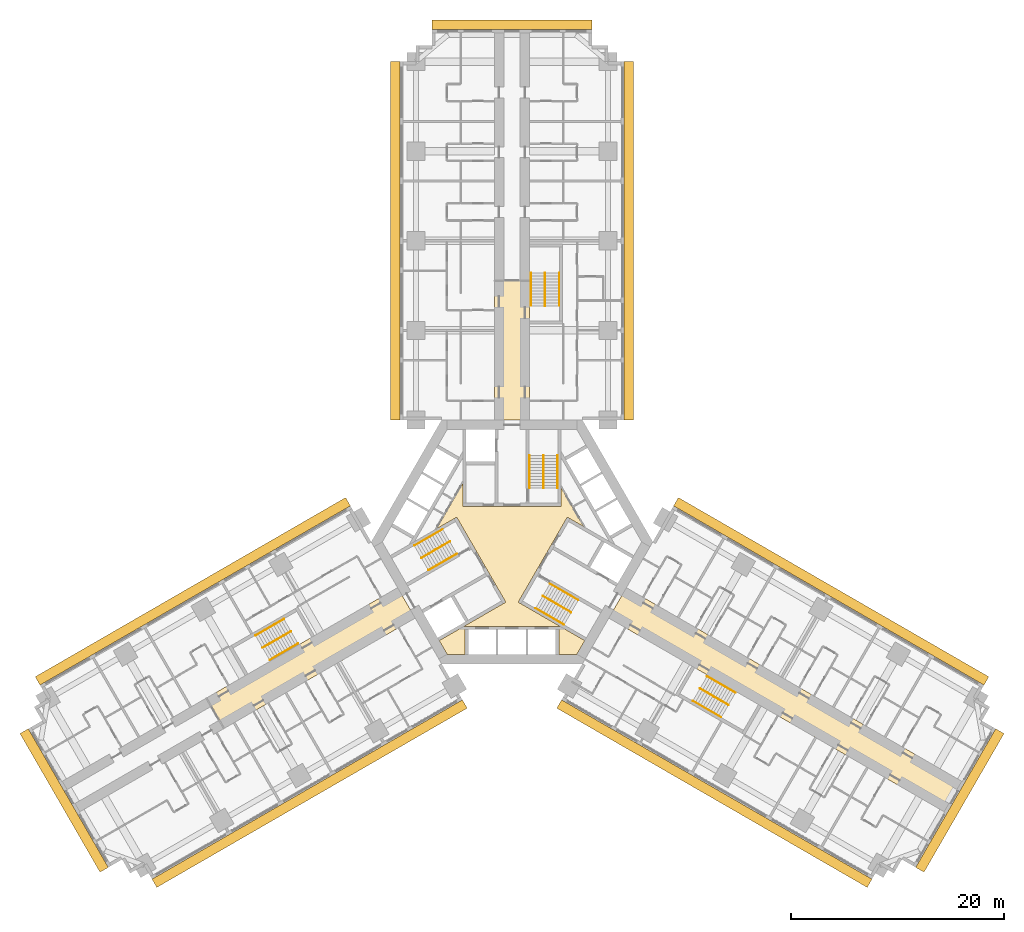
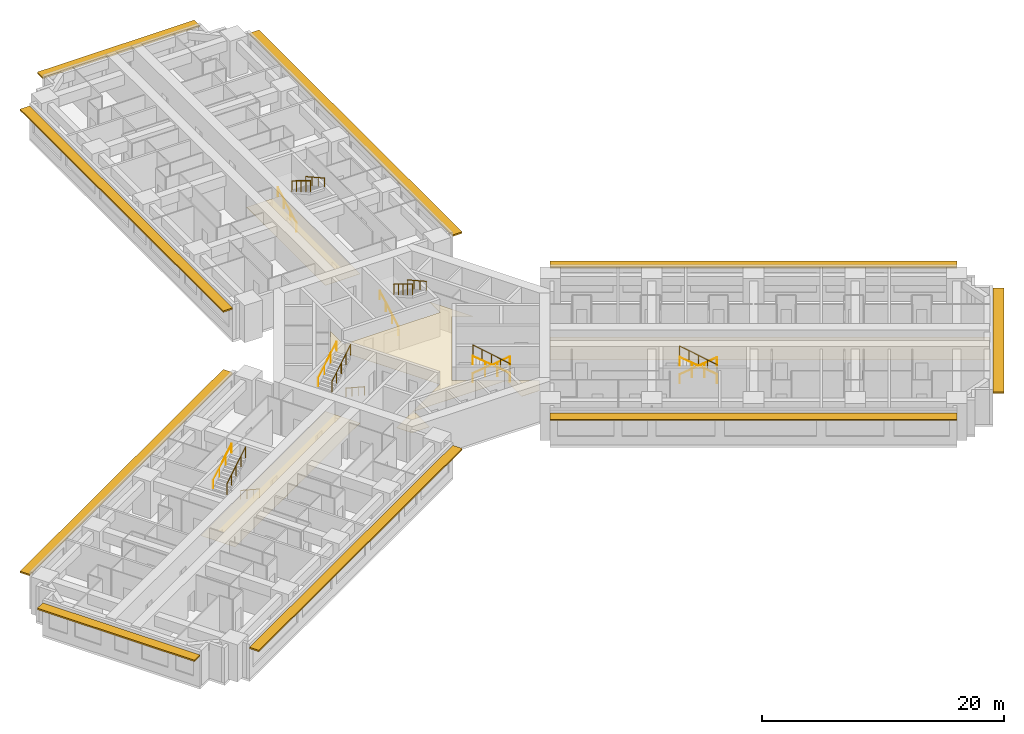
# One storey, part 16 of 16: 18 railings, 4 coverings, 3 shading devices.
"""IFC4 building model written with IfcOpenShell, lengths in metres."""

from ifc_helpers import new_model, si_unit, direction, frame, origin, origin_2d, place, context, subcontext, project, spatial, polyline, rectangle, circle, outline, extrude, material, layer, layer_set, type_object, element, save


model = new_model("IFC4")

# Units and contexts
model_context = context("Model", 3, precision=1e-05, world=origin(), true_north=direction((0.0, 1.0)))
body_context = subcontext(model_context, "Body", "Model", "MODEL_VIEW")
ifc_project = project(units=[si_unit("LENGTHUNIT", "METRE"), si_unit("AREAUNIT", "SQUARE_METRE"), si_unit("VOLUMEUNIT", "CUBIC_METRE"), si_unit("PLANEANGLEUNIT", "RADIAN"), si_unit("MASSUNIT", "GRAM", prefix="KILO")], contexts=[model_context])

# Site, building, storey
site_placement = place(None, origin())
site = spatial("IfcSite", under=ifc_project, at=site_placement, CompositionType="ELEMENT")
building_placement = place(site_placement, origin())
building = spatial("IfcBuilding", under=site, at=building_placement, Name="Impinga Residences", CompositionType="ELEMENT")
storey_placement = place(building_placement, frame((0.0, 0.0, 41.0)))
storey = spatial("IfcBuildingStorey", under=building, at=storey_placement, Name="L09", CompositionType="ELEMENT", Elevation=41.0)

# Coverings
ifc_material_1 = material(Name="Plasterboard 15 mm on steel hangers", Category="steel")
ifc_layer_1 = layer(ifc_material_1, 0.014892578125)
ifc_layer_set_1 = layer_set([ifc_layer_1], Name="Plasterboard 15 mm on steel hangers")
covering_type_1 = type_object("IfcCoveringType", Name="CL1 corridor ceiling, 15 mm plasterboard on hangers", PredefinedType="CEILING", material=ifc_layer_set_1)
covering_1_placement = place(storey_placement, frame((0.0, 0.0, 2.39990234375)))
element("IfcCovering", 1, at=covering_1_placement, inside=storey, type_object=covering_type_1, Name="Corridor ceiling CL1 L09-N00", PredefinedType="CEILING", context=body_context, shape_type="SweptSolid", body=[
    extrude(outline(polyline([(1.64990234375, 11.431640625), (-1.64990234375, 11.431640625), (-1.64990234375, 24.449951171875), (1.64990234375, 24.449951171875), (1.64990234375, 11.431640625)])), origin(), (0.0, 0.0, 1.0), 0.01513671875),
])
covering_2_placement = place(storey_placement, frame((0.0, 0.0, 2.39990234375)))
element("IfcCovering", 2, at=covering_2_placement, inside=storey, type_object=covering_type_1, Name="Corridor ceiling CL1 L09-W00", PredefinedType="CEILING", context=body_context, shape_type="SweptSolid", body=[
    extrude(outline(polyline([(-10.72509765625, -4.286865234375), (-9.074951171875, -7.144775390625), (-26.958740234375, -17.469970703125), (-28.60888671875, -14.612060546875), (-10.72509765625, -4.286865234375)])), origin(), (0.0, 0.0, 1.0), 0.01513671875),
])
covering_3_placement = place(storey_placement, frame((0.0, 0.0, 2.39990234375)))
element("IfcCovering", 3, at=covering_3_placement, inside=storey, type_object=covering_type_1, Name="Corridor ceiling CL1 L09-E00", PredefinedType="CEILING", context=body_context, shape_type="SweptSolid", body=[
    extrude(outline(polyline([(10.72509765625, -4.286865234375), (9.074951171875, -7.144775390625), (40.51171875, -25.294677734375), (42.16162109375, -22.436767578125), (10.72509765625, -4.286865234375)])), origin(), (0.0, 0.0, 1.0), 0.01513671875),
])
ifc_material_2 = material(Name="Mineral fibre tiles 20 mm on exposed grid", Category="mineral fibre")
ifc_layer_2 = layer(ifc_material_2, 0.02001953125)
ifc_layer_set_2 = layer_set([ifc_layer_2], Name="CL2 lift lobby ceiling, 20 mm mineral fibre tiles")
covering_type_2 = type_object("IfcCoveringType", Name="CL2 lift lobby ceiling, 20 mm mineral fibre tiles", PredefinedType="CEILING", material=ifc_layer_set_2)
covering_4_placement = place(storey_placement, frame((0.0, 0.0, 2.39990234375)))
element("IfcCovering", 4, at=covering_4_placement, inside=storey, type_object=covering_type_2, Name="Lift lobby ceiling CL2 L09-C01", PredefinedType="CEILING", context=body_context, shape_type="SweptSolid", body=[
    extrude(outline(polyline([(6.080322265625, -10.531494140625), (4.39990234375, -10.531494140625), (4.39990234375, -7.931640625), (-4.39990234375, -7.931640625), (-4.39990234375, -10.531494140625), (-6.080322265625, -10.531494140625), (-6.820556640625, -9.24951171875), (-0.583984375, -5.648681640625), (-5.183837890625, 2.318603515625), (-7.059326171875, 1.23583984375), (-4.60009765625, 5.49560546875), (-4.60009765625, 3.330078125), (4.60009765625, 3.330078125), (4.60009765625, 5.095703125), (6.712890625, 1.435791015625), (5.183837890625, 2.318603515625), (0.583984375, -5.648681640625), (6.820556640625, -9.24951171875), (6.080322265625, -10.531494140625)])), origin(), (0.0, 0.0, 1.0), 0.02001953125),
])

# Railings
ifc_material_3 = material(Name="Steel guard, powder coated", Category="steel")
railing_type_1 = type_object("IfcRailingType", Name="GR1 stair guard 1100", PredefinedType="GUARDRAIL", material=ifc_material_3)
railing_1_placement = place(storey_placement, frame((2.949951171875, 8.110107421875, 1.875)))
element("IfcRailing", 5, at=railing_1_placement, inside=storey, type_object=railing_type_1, Name="Stair guard GR1 ST1 L09", PredefinedType="GUARDRAIL", context=body_context, shape_type="SweptSolid", body=[
    extrude(circle(Radius=0.02392578125, at=origin_2d()), frame((0.0, 0.0, 1.076171875), z_axis=(0.0, -0.854177636135, 0.519981313056), x_axis=(1.0, 0.0, 0.0)), (0.0, 0.0, 1.0), 3.60595703125),
    extrude(circle(Radius=0.02099609375, at=origin_2d()), origin(), (0.0, 0.0, 1.0), 1.052001953125),
    extrude(circle(Radius=0.02099609375, at=origin_2d()), frame((0.0, -0.77001953125, 0.46875)), (0.0, 0.0, 1.0), 1.052001953125),
    extrude(circle(Radius=0.02099609375, at=origin_2d()), frame((0.0, -1.5400390625, 0.9375)), (0.0, 0.0, 1.0), 1.052001953125),
    extrude(circle(Radius=0.02099609375, at=origin_2d()), frame((0.0, -2.31005859375, 1.40625)), (0.0, 0.0, 1.0), 1.052001953125),
    extrude(circle(Radius=0.02099609375, at=origin_2d()), frame((0.0, -3.080078125, 1.875)), (0.0, 0.0, 1.0), 1.052001953125),
])
railing_2_placement = place(storey_placement, frame((-8.49853515625, -1.500244140625, 1.875)))
element("IfcRailing", 6, at=railing_2_placement, inside=storey, type_object=railing_type_1, Name="Stair guard GR1 ST2 L09", PredefinedType="GUARDRAIL", context=body_context, shape_type="SweptSolid", body=[
    extrude(circle(Radius=0.02392578125, at=origin_2d()), frame((0.0, 0.0, 1.076171875), z_axis=(0.739746383972, 0.427084037168, 0.519975492303), x_axis=(-0.499992328818, 0.866029832698, 0.0)), (0.0, 0.0, 1.0), 3.60595703125),
    extrude(circle(Radius=0.02099609375, at=origin_2d()), origin(), (0.0, 0.0, 1.0), 1.052001953125),
    extrude(circle(Radius=0.02099609375, at=origin_2d()), frame((0.6669921875, 0.385009765625, 0.46875)), (0.0, 0.0, 1.0), 1.052001953125),
    extrude(circle(Radius=0.02099609375, at=origin_2d()), frame((1.333740234375, 0.77001953125, 0.9375)), (0.0, 0.0, 1.0), 1.052001953125),
    extrude(circle(Radius=0.02099609375, at=origin_2d()), frame((2.00048828125, 1.155029296875, 1.40625)), (0.0, 0.0, 1.0), 1.052001953125),
    extrude(circle(Radius=0.02099609375, at=origin_2d()), frame((2.66748046875, 1.5400390625, 1.875)), (0.0, 0.0, 1.0), 1.052001953125),
])
railing_3_placement = place(storey_placement, frame((5.548583984375, -6.60986328125, 1.875)))
element("IfcRailing", 7, at=railing_3_placement, inside=storey, type_object=railing_type_1, Name="Stair guard GR1 ST3 L09", PredefinedType="GUARDRAIL", context=body_context, shape_type="SweptSolid", body=[
    extrude(circle(Radius=0.02392578125, at=origin_2d()), frame((0.0, 0.0, 1.076171875), z_axis=(-0.739746383972, 0.427084037168, 0.519975492303), x_axis=(-0.499992328818, -0.866029832698, 0.0)), (0.0, 0.0, 1.0), 3.60595703125),
    extrude(circle(Radius=0.02099609375, at=origin_2d()), origin(), (0.0, 0.0, 1.0), 1.052001953125),
    extrude(circle(Radius=0.02099609375, at=origin_2d()), frame((-0.6669921875, 0.385009765625, 0.46875)), (0.0, 0.0, 1.0), 1.052001953125),
    extrude(circle(Radius=0.02099609375, at=origin_2d()), frame((-1.333740234375, 0.77001953125, 0.9375)), (0.0, 0.0, 1.0), 1.052001953125),
    extrude(circle(Radius=0.02099609375, at=origin_2d()), frame((-2.00048828125, 1.155029296875, 1.40625)), (0.0, 0.0, 1.0), 1.052001953125),
    extrude(circle(Radius=0.02099609375, at=origin_2d()), frame((-2.66748046875, 1.5400390625, 1.875)), (0.0, 0.0, 1.0), 1.052001953125),
])
railing_4_placement = place(storey_placement, frame((3.10009765625, 25.21142578125, 1.875)))
element("IfcRailing", 8, at=railing_4_placement, inside=storey, type_object=railing_type_1, Name="Stair guard GR1 WS1 L09", PredefinedType="GUARDRAIL", context=body_context, shape_type="SweptSolid", body=[
    extrude(circle(Radius=0.02392578125, at=origin_2d()), frame((0.0, 0.0, 1.076171875), z_axis=(0.0, -0.854159328187, 0.520011386482), x_axis=(1.0, 0.0, 0.0)), (0.0, 0.0, 1.0), 3.605712890625),
    extrude(circle(Radius=0.02099609375, at=origin_2d()), origin(), (0.0, 0.0, 1.0), 1.052001953125),
    extrude(circle(Radius=0.02099609375, at=origin_2d()), frame((0.0, -0.77001953125, 0.46875)), (0.0, 0.0, 1.0), 1.052001953125),
    extrude(circle(Radius=0.02099609375, at=origin_2d()), frame((0.0, -1.5400390625, 0.9375)), (0.0, 0.0, 1.0), 1.052001953125),
    extrude(circle(Radius=0.02099609375, at=origin_2d()), frame((0.0, -2.309814453125, 1.40625)), (0.0, 0.0, 1.0), 1.052001953125),
    extrude(circle(Radius=0.02099609375, at=origin_2d()), frame((0.0, -3.079833984375, 1.875)), (0.0, 0.0, 1.0), 1.052001953125),
])
railing_5_placement = place(storey_placement, frame((-23.3837890625, -9.921142578125, 1.875)))
element("IfcRailing", 9, at=railing_5_placement, inside=storey, type_object=railing_type_1, Name="Stair guard GR1 WS2 L09", PredefinedType="GUARDRAIL", context=body_context, shape_type="SweptSolid", body=[
    extrude(circle(Radius=0.02392578125, at=origin_2d()), frame((0.0, 0.0, 1.076171875), z_axis=(0.739715726454, 0.427105428144, 0.52000153585), x_axis=(-0.500026652407, 0.866010015463, 0.0)), (0.0, 0.0, 1.0), 3.605712890625),
    extrude(circle(Radius=0.02099609375, at=origin_2d()), origin(), (0.0, 0.0, 1.0), 1.052001953125),
    extrude(circle(Radius=0.02099609375, at=origin_2d()), frame((0.666748046875, 0.385009765625, 0.46875)), (0.0, 0.0, 1.0), 1.052001953125),
    extrude(circle(Radius=0.02099609375, at=origin_2d()), frame((1.33349609375, 0.77001953125, 0.9375)), (0.0, 0.0, 1.0), 1.052001953125),
    extrude(circle(Radius=0.02099609375, at=origin_2d()), frame((2.00048828125, 1.155029296875, 1.40625)), (0.0, 0.0, 1.0), 1.052001953125),
    extrude(circle(Radius=0.02099609375, at=origin_2d()), frame((2.667236328125, 1.5400390625, 1.875)), (0.0, 0.0, 1.0), 1.052001953125),
])
railing_6_placement = place(storey_placement, frame((20.283935546875, -15.29052734375, 1.875)))
element("IfcRailing", 10, at=railing_6_placement, inside=storey, type_object=railing_type_1, Name="Stair guard GR1 WS3 L09", PredefinedType="GUARDRAIL", context=body_context, shape_type="SweptSolid", body=[
    extrude(circle(Radius=0.02392578125, at=origin_2d()), frame((0.0, 0.0, 1.076171875), z_axis=(-0.739746383972, 0.427084037168, 0.519975492303), x_axis=(-0.499992328818, -0.866029832698, 0.0)), (0.0, 0.0, 1.0), 3.60595703125),
    extrude(circle(Radius=0.02099609375, at=origin_2d()), origin(), (0.0, 0.0, 1.0), 1.052001953125),
    extrude(circle(Radius=0.02099609375, at=origin_2d()), frame((-0.6669921875, 0.385009765625, 0.46875)), (0.0, 0.0, 1.0), 1.052001953125),
    extrude(circle(Radius=0.02099609375, at=origin_2d()), frame((-1.333740234375, 0.77001953125, 0.9375)), (0.0, 0.0, 1.0), 1.052001953125),
    extrude(circle(Radius=0.02099609375, at=origin_2d()), frame((-2.00048828125, 1.155029296875, 1.40625)), (0.0, 0.0, 1.0), 1.052001953125),
    extrude(circle(Radius=0.02099609375, at=origin_2d()), frame((-2.66748046875, 1.5400390625, 1.875)), (0.0, 0.0, 1.0), 1.052001953125),
])
ifc_material_4 = material(Name="Steel handrail tube 42 mm, powder coated", Category="steel")
railing_type_2 = type_object("IfcRailingType", Name="HR1 stair handrail, 42 mm steel tube, 900 above the pitch line", PredefinedType="HANDRAIL", material=ifc_material_4)
railing_7_placement = place(storey_placement, frame((1.62109375, 5.030029296875, 0.15625)))
element("IfcRailing", 11, at=railing_7_placement, inside=storey, type_object=railing_type_2, Name="Stair handrail HR1 ST1 L09", PredefinedType="HANDRAIL", context=body_context, shape_type="SweptSolid", body=[
    extrude(circle(Radius=0.02099609375, at=origin_2d()), frame((0.0, 0.0, 0.87890625), z_axis=(0.0, 0.873241540666, 0.487287606713), x_axis=(-1.0, 0.0, 0.0)), (0.0, 0.0, 1.0), 3.527099609375),
    extrude(circle(Radius=0.012451171875, at=origin_2d()), origin(), (0.0, 0.0, 1.0), 0.85791015625),
    extrude(circle(Radius=0.012451171875, at=origin_2d()), frame((0.0, 1.026611328125, 0.572998046875)), (0.0, 0.0, 1.0), 0.85791015625),
    extrude(circle(Radius=0.012451171875, at=origin_2d()), frame((0.0, 2.053466796875, 1.145751953125)), (0.0, 0.0, 1.0), 0.85791015625),
    extrude(circle(Radius=0.012451171875, at=origin_2d()), frame((0.0, 3.080078125, 1.71875)), (0.0, 0.0, 1.0), 0.85791015625),
])
railing_8_placement = place(storey_placement, frame((4.279052734375, 8.110107421875, 2.03125)))
element("IfcRailing", 12, at=railing_8_placement, inside=storey, type_object=railing_type_2, Name="Stair handrail HR1 ST1 L09", PredefinedType="HANDRAIL", context=body_context, shape_type="SweptSolid", body=[
    extrude(circle(Radius=0.02099609375, at=origin_2d()), frame((0.0, 0.0, 0.87890625), z_axis=(0.0, -0.873241540666, 0.487287606713), x_axis=(1.0, 0.0, 0.0)), (0.0, 0.0, 1.0), 3.527099609375),
    extrude(circle(Radius=0.012451171875, at=origin_2d()), origin(), (0.0, 0.0, 1.0), 0.85791015625),
    extrude(circle(Radius=0.012451171875, at=origin_2d()), frame((0.0, -1.026611328125, 0.572998046875)), (0.0, 0.0, 1.0), 0.85791015625),
    extrude(circle(Radius=0.012451171875, at=origin_2d()), frame((0.0, -2.053466796875, 1.145751953125)), (0.0, 0.0, 1.0), 0.85791015625),
    extrude(circle(Radius=0.012451171875, at=origin_2d()), frame((0.0, -3.080078125, 1.71875)), (0.0, 0.0, 1.0), 0.85791015625),
])
railing_9_placement = place(storey_placement, frame((-5.16650390625, -1.111083984375, 0.15625)))
element("IfcRailing", 13, at=railing_9_placement, inside=storey, type_object=railing_type_2, Name="Stair handrail HR1 ST2 L09", PredefinedType="HANDRAIL", context=body_context, shape_type="SweptSolid", body=[
    extrude(circle(Radius=0.02099609375, at=origin_2d()), frame((0.0, 0.0, 0.87890625), z_axis=(-0.756255980417, -0.436615662133, 0.487281905742), x_axis=(0.499992328818, -0.866029832698, 0.0)), (0.0, 0.0, 1.0), 3.527099609375),
    extrude(circle(Radius=0.012451171875, at=origin_2d()), origin(), (0.0, 0.0, 1.0), 0.85791015625),
    extrude(circle(Radius=0.012451171875, at=origin_2d()), frame((-0.88916015625, -0.513427734375, 0.572998046875)), (0.0, 0.0, 1.0), 0.85791015625),
    extrude(circle(Radius=0.012451171875, at=origin_2d()), frame((-1.7783203125, -1.026611328125, 1.145751953125)), (0.0, 0.0, 1.0), 0.85791015625),
    extrude(circle(Radius=0.012451171875, at=origin_2d()), frame((-2.66748046875, -1.5400390625, 1.71875)), (0.0, 0.0, 1.0), 0.85791015625),
])
railing_10_placement = place(storey_placement, frame((-9.1630859375, -0.349365234375, 2.03125)))
element("IfcRailing", 14, at=railing_10_placement, inside=storey, type_object=railing_type_2, Name="Stair handrail HR1 ST2 L09", PredefinedType="HANDRAIL", context=body_context, shape_type="SweptSolid", body=[
    extrude(circle(Radius=0.02099609375, at=origin_2d()), frame((0.0, 0.0, 0.87890625), z_axis=(0.756255980417, 0.436615662133, 0.487281905742), x_axis=(-0.499992328818, 0.866029832698, 0.0)), (0.0, 0.0, 1.0), 3.527099609375),
    extrude(circle(Radius=0.012451171875, at=origin_2d()), origin(), (0.0, 0.0, 1.0), 0.85791015625),
    extrude(circle(Radius=0.012451171875, at=origin_2d()), frame((0.88916015625, 0.513427734375, 0.572998046875)), (0.0, 0.0, 1.0), 0.85791015625),
    extrude(circle(Radius=0.012451171875, at=origin_2d()), frame((1.7783203125, 1.026611328125, 1.145751953125)), (0.0, 0.0, 1.0), 0.85791015625),
    extrude(circle(Radius=0.012451171875, at=origin_2d()), frame((2.66748046875, 1.5400390625, 1.71875)), (0.0, 0.0, 1.0), 0.85791015625),
])
railing_11_placement = place(storey_placement, frame((3.545654296875, -3.9189453125, 0.15625)))
element("IfcRailing", 15, at=railing_11_placement, inside=storey, type_object=railing_type_2, Name="Stair handrail HR1 ST3 L09", PredefinedType="HANDRAIL", context=body_context, shape_type="SweptSolid", body=[
    extrude(circle(Radius=0.02099609375, at=origin_2d()), frame((0.0, 0.0, 0.87890625), z_axis=(0.756249203677, -0.436582492228, 0.487322141317), x_axis=(0.499967199496, 0.866044340336, 0.0)), (0.0, 0.0, 1.0), 3.52685546875),
    extrude(circle(Radius=0.012451171875, at=origin_2d()), origin(), (0.0, 0.0, 1.0), 0.85791015625),
    extrude(circle(Radius=0.012451171875, at=origin_2d()), frame((0.88916015625, -0.51318359375, 0.572998046875)), (0.0, 0.0, 1.0), 0.85791015625),
    extrude(circle(Radius=0.012451171875, at=origin_2d()), frame((1.778076171875, -1.026611328125, 1.145751953125)), (0.0, 0.0, 1.0), 0.85791015625),
    extrude(circle(Radius=0.012451171875, at=origin_2d()), frame((2.667236328125, -1.539794921875, 1.71875)), (0.0, 0.0, 1.0), 0.85791015625),
])
railing_12_placement = place(storey_placement, frame((4.884033203125, -7.7607421875, 2.03125)))
element("IfcRailing", 16, at=railing_12_placement, inside=storey, type_object=railing_type_2, Name="Stair handrail HR1 ST3 L09", PredefinedType="HANDRAIL", context=body_context, shape_type="SweptSolid", body=[
    extrude(circle(Radius=0.02099609375, at=origin_2d()), frame((0.0, 0.0, 0.87890625), z_axis=(-0.756255980417, 0.436615662133, 0.487281905742), x_axis=(-0.499992328818, -0.866029832698, 0.0)), (0.0, 0.0, 1.0), 3.527099609375),
    extrude(circle(Radius=0.012451171875, at=origin_2d()), origin(), (0.0, 0.0, 1.0), 0.85791015625),
    extrude(circle(Radius=0.012451171875, at=origin_2d()), frame((-0.88916015625, 0.513427734375, 0.572998046875)), (0.0, 0.0, 1.0), 0.85791015625),
    extrude(circle(Radius=0.012451171875, at=origin_2d()), frame((-1.7783203125, 1.026611328125, 1.145751953125)), (0.0, 0.0, 1.0), 0.85791015625),
    extrude(circle(Radius=0.012451171875, at=origin_2d()), frame((-2.66748046875, 1.5400390625, 1.71875)), (0.0, 0.0, 1.0), 0.85791015625),
])
railing_13_placement = place(storey_placement, frame((1.77099609375, 22.131591796875, 0.15625)))
element("IfcRailing", 17, at=railing_13_placement, inside=storey, type_object=railing_type_2, Name="Stair handrail HR1 WS1 L09", PredefinedType="HANDRAIL", context=body_context, shape_type="SweptSolid", body=[
    extrude(circle(Radius=0.02099609375, at=origin_2d()), frame((0.0, 0.0, 0.87890625), z_axis=(0.0, 0.873225103656, 0.487317061414), x_axis=(-1.0, 0.0, 0.0)), (0.0, 0.0, 1.0), 3.52685546875),
    extrude(circle(Radius=0.012451171875, at=origin_2d()), origin(), (0.0, 0.0, 1.0), 0.85791015625),
    extrude(circle(Radius=0.012451171875, at=origin_2d()), frame((0.0, 1.026611328125, 0.572998046875)), (0.0, 0.0, 1.0), 0.85791015625),
    extrude(circle(Radius=0.012451171875, at=origin_2d()), frame((0.0, 2.05322265625, 1.145751953125)), (0.0, 0.0, 1.0), 0.85791015625),
    extrude(circle(Radius=0.012451171875, at=origin_2d()), frame((0.0, 3.079833984375, 1.71875)), (0.0, 0.0, 1.0), 0.85791015625),
])
railing_14_placement = place(storey_placement, frame((4.428955078125, 25.21142578125, 2.03125)))
element("IfcRailing", 18, at=railing_14_placement, inside=storey, type_object=railing_type_2, Name="Stair handrail HR1 WS1 L09", PredefinedType="HANDRAIL", context=body_context, shape_type="SweptSolid", body=[
    extrude(circle(Radius=0.02099609375, at=origin_2d()), frame((0.0, 0.0, 0.87890625), z_axis=(0.0, -0.873225103656, 0.487317061414), x_axis=(1.0, 0.0, 0.0)), (0.0, 0.0, 1.0), 3.52685546875),
    extrude(circle(Radius=0.012451171875, at=origin_2d()), origin(), (0.0, 0.0, 1.0), 0.85791015625),
    extrude(circle(Radius=0.012451171875, at=origin_2d()), frame((0.0, -1.026611328125, 0.572998046875)), (0.0, 0.0, 1.0), 0.85791015625),
    extrude(circle(Radius=0.012451171875, at=origin_2d()), frame((0.0, -2.05322265625, 1.145751953125)), (0.0, 0.0, 1.0), 0.85791015625),
    extrude(circle(Radius=0.012451171875, at=origin_2d()), frame((0.0, -3.079833984375, 1.71875)), (0.0, 0.0, 1.0), 0.85791015625),
])
railing_15_placement = place(storey_placement, frame((-20.052001953125, -9.531982421875, 0.15625)))
element("IfcRailing", 19, at=railing_15_placement, inside=storey, type_object=railing_type_2, Name="Stair handrail HR1 WS2 L09", PredefinedType="HANDRAIL", context=body_context, shape_type="SweptSolid", body=[
    extrude(circle(Radius=0.02099609375, at=origin_2d()), frame((0.0, 0.0, 0.87890625), z_axis=(-0.756226348243, -0.436638517594, 0.487307413422), x_axis=(0.500026652407, -0.866010015463, 0.0)), (0.0, 0.0, 1.0), 3.527099609375),
    extrude(circle(Radius=0.012451171875, at=origin_2d()), origin(), (0.0, 0.0, 1.0), 0.85791015625),
    extrude(circle(Radius=0.012451171875, at=origin_2d()), frame((-0.88916015625, -0.513427734375, 0.572998046875)), (0.0, 0.0, 1.0), 0.85791015625),
    extrude(circle(Radius=0.012451171875, at=origin_2d()), frame((-1.778076171875, -1.026611328125, 1.145751953125)), (0.0, 0.0, 1.0), 0.85791015625),
    extrude(circle(Radius=0.012451171875, at=origin_2d()), frame((-2.667236328125, -1.5400390625, 1.71875)), (0.0, 0.0, 1.0), 0.85791015625),
])
railing_16_placement = place(storey_placement, frame((-24.04833984375, -8.77001953125, 2.03125)))
element("IfcRailing", 20, at=railing_16_placement, inside=storey, type_object=railing_type_2, Name="Stair handrail HR1 WS2 L09", PredefinedType="HANDRAIL", context=body_context, shape_type="SweptSolid", body=[
    extrude(circle(Radius=0.02099609375, at=origin_2d()), frame((0.0, 0.0, 0.87890625), z_axis=(0.756278834354, 0.436559638319, 0.487296631324), x_axis=(-0.499932877268, 0.866064153644, 0.0)), (0.0, 0.0, 1.0), 3.527099609375),
    extrude(circle(Radius=0.012451171875, at=origin_2d()), origin(), (0.0, 0.0, 1.0), 0.85791015625),
    extrude(circle(Radius=0.012451171875, at=origin_2d()), frame((0.88916015625, 0.51318359375, 0.572998046875)), (0.0, 0.0, 1.0), 0.85791015625),
    extrude(circle(Radius=0.012451171875, at=origin_2d()), frame((1.7783203125, 1.026611328125, 1.145751953125)), (0.0, 0.0, 1.0), 0.85791015625),
    extrude(circle(Radius=0.012451171875, at=origin_2d()), frame((2.66748046875, 1.539794921875, 1.71875)), (0.0, 0.0, 1.0), 0.85791015625),
])
railing_17_placement = place(storey_placement, frame((18.281005859375, -12.599609375, 0.15625)))
element("IfcRailing", 21, at=railing_17_placement, inside=storey, type_object=railing_type_2, Name="Stair handrail HR1 WS3 L09", PredefinedType="HANDRAIL", context=body_context, shape_type="SweptSolid", body=[
    extrude(circle(Radius=0.02099609375, at=origin_2d()), frame((0.0, 0.0, 0.87890625), z_axis=(0.756249203677, -0.436582492228, 0.487322141317), x_axis=(0.499967199496, 0.866044340336, 0.0)), (0.0, 0.0, 1.0), 3.52685546875),
    extrude(circle(Radius=0.012451171875, at=origin_2d()), origin(), (0.0, 0.0, 1.0), 0.85791015625),
    extrude(circle(Radius=0.012451171875, at=origin_2d()), frame((0.88916015625, -0.51318359375, 0.572998046875)), (0.0, 0.0, 1.0), 0.85791015625),
    extrude(circle(Radius=0.012451171875, at=origin_2d()), frame((1.778076171875, -1.026611328125, 1.145751953125)), (0.0, 0.0, 1.0), 0.85791015625),
    extrude(circle(Radius=0.012451171875, at=origin_2d()), frame((2.667236328125, -1.539794921875, 1.71875)), (0.0, 0.0, 1.0), 0.85791015625),
])
railing_18_placement = place(storey_placement, frame((19.619384765625, -16.44140625, 2.03125)))
element("IfcRailing", 22, at=railing_18_placement, inside=storey, type_object=railing_type_2, Name="Stair handrail HR1 WS3 L09", PredefinedType="HANDRAIL", context=body_context, shape_type="SweptSolid", body=[
    extrude(circle(Radius=0.02099609375, at=origin_2d()), frame((0.0, 0.0, 0.87890625), z_axis=(-0.756255980417, 0.436615662133, 0.487281905742), x_axis=(-0.499992328818, -0.866029832698, 0.0)), (0.0, 0.0, 1.0), 3.527099609375),
    extrude(circle(Radius=0.012451171875, at=origin_2d()), origin(), (0.0, 0.0, 1.0), 0.85791015625),
    extrude(circle(Radius=0.012451171875, at=origin_2d()), frame((-0.88916015625, 0.513427734375, 0.572998046875)), (0.0, 0.0, 1.0), 0.85791015625),
    extrude(circle(Radius=0.012451171875, at=origin_2d()), frame((-1.7783203125, 1.026611328125, 1.145751953125)), (0.0, 0.0, 1.0), 0.85791015625),
    extrude(circle(Radius=0.012451171875, at=origin_2d()), frame((-2.66748046875, 1.5400390625, 1.71875)), (0.0, 0.0, 1.0), 0.85791015625),
])

# Shading devices
ifc_material_5 = material(Name="Terracotta sunshade blades on aluminium brackets", Category="masonry")
ifc_layer_3 = layer(ifc_material_5, 0.14990234375)
ifc_layer_set_3 = layer_set([ifc_layer_3], Name="SS1 SUNSHADE terracotta sunshade band 900")
shading_device_type = type_object("IfcShadingDeviceType", Name="SS1 SUNSHADE terracotta sunshade band 900", PredefinedType="USERDEFINED", material=ifc_layer_set_3)
shading_device_1_placement = place(storey_placement, frame((-10.949951171875, 28.2314453125, 3.10009765625), z_axis=(0.0, 0.0, 1.0), x_axis=(0.0, 1.0, 0.0)))
element("IfcShadingDevice", 23, at=shading_device_1_placement, inside=storey, type_object=shading_device_type, Name="SUNSHADE band L09 NORTH WING", ObjectType="SUNSHADE", PredefinedType="USERDEFINED", context=body_context, shape_type="SweptSolid", body=[
    extrude(rectangle(XDim=33.60009765625, YDim=0.89990234375, at=origin_2d()), origin(), (0.0, 0.0, 1.0), 0.14990234375),
    extrude(rectangle(XDim=15.0, YDim=0.89990234375, at=origin_2d()), frame((20.25, -10.949951171875, 0.0), z_axis=(0.0, 0.0, 1.0), x_axis=(0.0, -1.0, 0.0)), (0.0, 0.0, 1.0), 0.14990234375),
    extrude(rectangle(XDim=33.60009765625, YDim=0.89990234375, at=origin_2d()), frame((0.0, -21.89990234375, 0.0), z_axis=(0.0, 0.0, 1.0), x_axis=(-1.0, 0.0, 0.0)), (0.0, 0.0, 1.0), 0.14990234375),
])
shading_device_2_placement = place(storey_placement, frame((-41.986328125, -24.24072265625, 3.10009765625), z_axis=(0.0, 0.0, 1.0), x_axis=(-0.5, 0.866025403784, 0.0)))
element("IfcShadingDevice", 24, at=shading_device_2_placement, inside=storey, type_object=shading_device_type, Name="SUNSHADE band L09 WEST WING", ObjectType="SUNSHADE", PredefinedType="USERDEFINED", context=body_context, shape_type="SweptSolid", body=[
    extrude(rectangle(XDim=15.0, YDim=0.89990234375, at=origin_2d()), origin(), (0.0, 0.0, 1.0), 0.14990234375),
    extrude(rectangle(XDim=33.60009765625, YDim=0.89990234375, at=origin_2d()), frame((10.949951171875, -20.25, 0.0), z_axis=(0.0, 0.0, 1.0), x_axis=(0.0, -1.0, 0.0)), (0.0, 0.0, 1.0), 0.14990234375),
    extrude(rectangle(XDim=33.60009765625, YDim=0.89990234375, at=origin_2d()), frame((-10.949951171875, -20.250244140625, 0.0), z_axis=(0.0, 0.0, 1.0), x_axis=(0.0, 1.0, 0.0)), (0.0, 0.0, 1.0), 0.14990234375),
])
shading_device_3_placement = place(storey_placement, frame((29.92431640625, -4.6328125, 3.10009765625), z_axis=(0.0, 0.0, 1.0), x_axis=(0.866025403784, -0.5, 0.0)))
element("IfcShadingDevice", 25, at=shading_device_3_placement, inside=storey, type_object=shading_device_type, Name="SUNSHADE band L09 EAST WING", ObjectType="SUNSHADE", PredefinedType="USERDEFINED", context=body_context, shape_type="SweptSolid", body=[
    extrude(rectangle(XDim=33.60009765625, YDim=0.89990234375, at=origin_2d()), origin(), (0.0, 0.0, 1.0), 0.14990234375),
    extrude(rectangle(XDim=15.0, YDim=0.89990234375, at=origin_2d()), frame((20.25, -10.949951171875, 0.0), z_axis=(0.0, 0.0, 1.0), x_axis=(0.0, -1.0, 0.0)), (0.0, 0.0, 1.0), 0.14990234375),
    extrude(rectangle(XDim=33.60009765625, YDim=0.89990234375, at=origin_2d()), frame((-0.000244140625, -21.89990234375, 0.0), z_axis=(0.0, 0.0, 1.0), x_axis=(-1.0, 0.0, 0.0)), (0.0, 0.0, 1.0), 0.14990234375),
])

save(model, "model.ifc")
